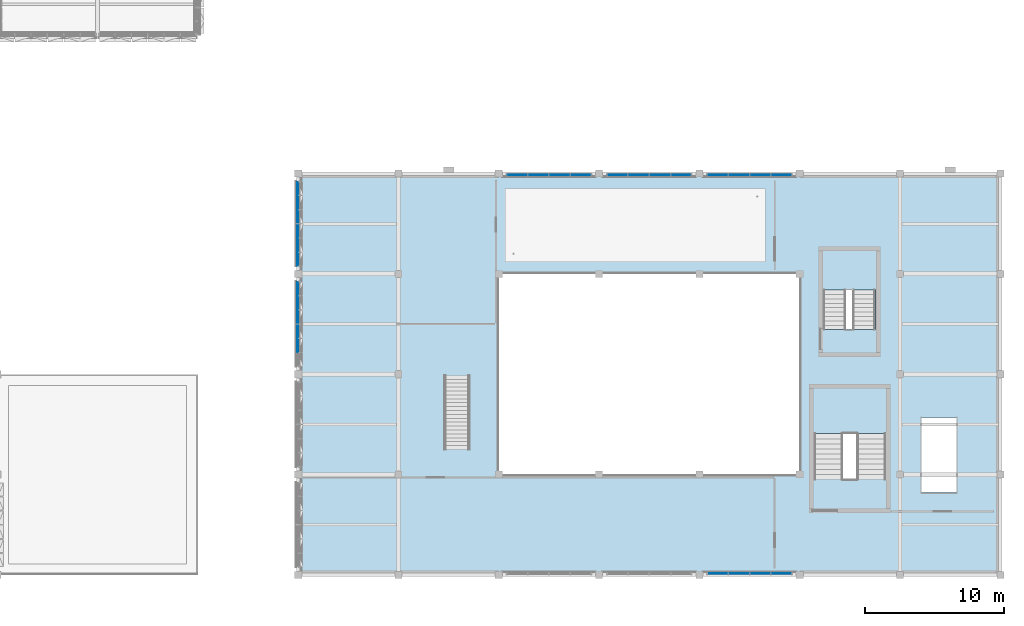
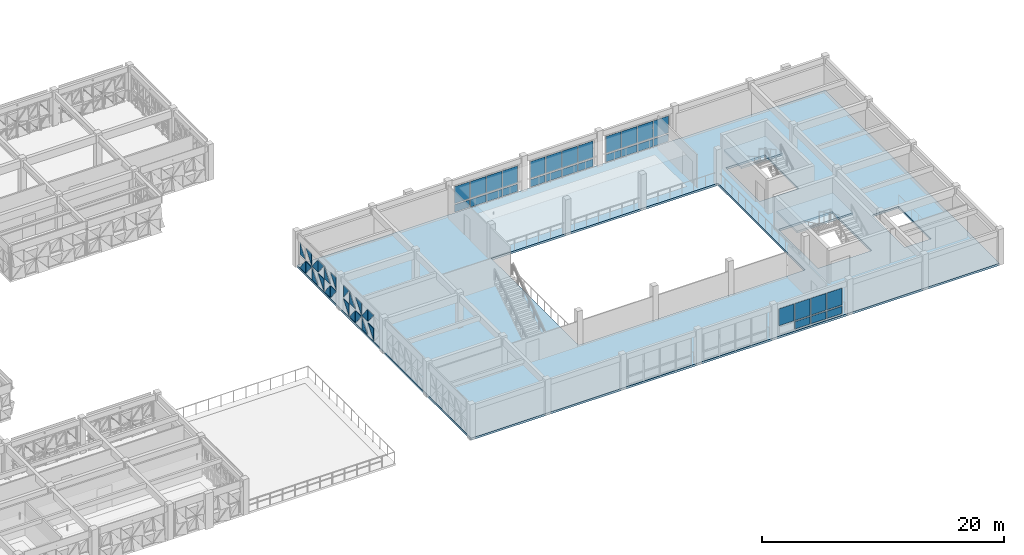
# One storey, part 41 of 99: 53 plates, 3 slabs, 8 elements without a shape of their own.
"""IFC4 building model written with IfcOpenShell, lengths in metres."""

import ifcopenshell
import ifcopenshell.guid

model = None  # the IFC model being written
_history = None  # IfcOwnerHistory: only IFC2X3 demands one
_inside = {}  # id of a spatial element -> (the spatial element, [elements in it])
_under = {}  # id of a project, library or spatial element -> (it, [spatial elements below it])
_declared = {}  # id of a project -> (the project, [libraries it declares])
_typed = {}  # id of a type object -> (the type object, [elements of that type])
_made_of = {}  # id of a material, layer set ... -> (it, [elements and type objects made of it])


def new_model(schema):
    """Start an empty IFC model of exactly this schema.

    Asked for "IFC4X3", IfcOpenShell would pick the latest addendum, in which some entities
    have other attributes; the version numbers below select the first issue.
    IFC2X3 requires an IfcOwnerHistory on every rooted entity: one is made here for all.
    """
    global model, _history
    if schema == "IFC4X3":
        model = ifcopenshell.file(schema_version=(4, 3, 0, 0))
    else:
        model = ifcopenshell.file(schema=schema)
    _inside.clear()
    _under.clear()
    _declared.clear()
    _typed.clear()
    _made_of.clear()
    _history = None
    if model.schema == "IFC2X3":
        org = make("IfcOrganization", Name="unknown")
        user = make(
            "IfcPersonAndOrganization",
            ThePerson=make("IfcPerson", FamilyName="unknown"),
            TheOrganization=org,
        )
        app = make(
            "IfcApplication",
            ApplicationDeveloper=org,
            Version="unknown",
            ApplicationFullName="unknown",
            ApplicationIdentifier="unknown",
        )
        _history = make(
            "IfcOwnerHistory",
            OwningUser=user,
            OwningApplication=app,
            ChangeAction="ADDED",
            CreationDate=0,
        )
    return model


def make(cls, **values):
    """One entity of the class cls with the attributes given. An attribute that is None is left unset."""
    return model.create_entity(
        cls, **{name: value for name, value in values.items() if value is not None}
    )


def rooted(cls, **values):
    """An entity with a GlobalId (a new one), such as an element, a storey or a relation."""
    return make(cls, GlobalId=ifcopenshell.guid.new(), OwnerHistory=_history, **values)


def si_unit(unit_type, name, prefix=None):
    """IfcSIUnit, for example si_unit("LENGTHUNIT", "METRE", prefix="MILLI")."""
    return make("IfcSIUnit", UnitType=unit_type, Prefix=prefix, Name=name)


def assignment(units):
    """IfcUnitAssignment: the units of a project."""
    return None if units is None else make("IfcUnitAssignment", Units=units)


def point(xyz):
    """IfcCartesianPoint."""
    return None if xyz is None else make("IfcCartesianPoint", Coordinates=xyz)


def direction(xyz):
    """IfcDirection."""
    return None if xyz is None else make("IfcDirection", DirectionRatios=xyz)


def frame(location, z_axis=None, x_axis=None):
    """IfcAxis2Placement3D, a coordinate frame: its origin and axes. An axis left out is left unset."""
    return make(
        "IfcAxis2Placement3D",
        Location=point(location),
        Axis=direction(z_axis),
        RefDirection=direction(x_axis),
    )


def frame_2d(location, x_axis=None):
    """IfcAxis2Placement2D, a coordinate frame in the plane: its origin and x axis."""
    return make(
        "IfcAxis2Placement2D", Location=point(location), RefDirection=direction(x_axis)
    )


def origin():
    """The frame at (0, 0, 0) with its axes left unset."""
    return frame((0.0, 0.0, 0.0))


def origin_2d():
    """The frame at (0, 0) in the plane with its x axis left unset."""
    return frame_2d((0.0, 0.0))


def place(relative_to, where):
    """IfcLocalPlacement: puts the frame where relative to a parent placement (None: the world)."""
    return make(
        "IfcLocalPlacement", PlacementRelTo=relative_to, RelativePlacement=where
    )


def context(
    kind, dimensions, precision=None, world=None, true_north=None, identifier=None
):
    """IfcGeometricRepresentationContext, for example the 3D "Model" context."""
    return make(
        "IfcGeometricRepresentationContext",
        ContextIdentifier=identifier,
        ContextType=kind,
        CoordinateSpaceDimension=dimensions,
        Precision=precision,
        WorldCoordinateSystem=world,
        TrueNorth=true_north,
    )


def subcontext(parent, identifier, kind, view, scale=None):
    """IfcGeometricRepresentationSubContext, for example "Body" below "Model"."""
    return make(
        "IfcGeometricRepresentationSubContext",
        ContextIdentifier=identifier,
        ContextType=kind,
        ParentContext=parent,
        TargetScale=scale,
        TargetView=view,
    )


def project(units=None, contexts=None):
    """IfcProject with its units and contexts."""
    return rooted(
        "IfcProject",
        Name="project",
        RepresentationContexts=contexts,
        UnitsInContext=assignment(units),
    )


def spatial(cls, under=None, at=None, **own):
    """A site, building, storey or space (cls), placed at a placement, below another one or the project."""
    s = rooted(cls, ObjectPlacement=at, **own)
    if under is not None:
        _under.setdefault(under.id(), (under, []))[1].append(s)
    return s


def polyline(points):
    """IfcPolyline through the points."""
    return make("IfcPolyline", Points=[point(p) for p in points])


def profile(cls, at=None, kind="AREA", **sizes):
    """A parametric profile (cls). Its sizes go by their IFC names, for example OverallWidth=200.0."""
    return make(cls, ProfileType=kind, Position=at, **sizes)


def rectangle(**sizes):
    """IfcRectangleProfileDef."""
    return profile("IfcRectangleProfileDef", **sizes)


def outline(outer, holes=None, kind="AREA"):
    """IfcArbitraryClosedProfileDef: a profile drawn as a closed curve; with holes, ...WithVoids."""
    if holes is None:
        return make("IfcArbitraryClosedProfileDef", ProfileType=kind, OuterCurve=outer)
    return make(
        "IfcArbitraryProfileDefWithVoids",
        ProfileType=kind,
        OuterCurve=outer,
        InnerCurves=holes,
    )


def extrude(swept, where, along, depth):
    """IfcExtrudedAreaSolid: the profile swept, set in the frame where, extruded along a direction by depth."""
    return make(
        "IfcExtrudedAreaSolid",
        SweptArea=swept,
        Position=where,
        ExtrudedDirection=direction(along),
        Depth=depth,
    )


def shape(context_of_items, identifier, shape_type, items):
    """IfcShapeRepresentation: the items that make up one representation, for example the "Body"."""
    return make(
        "IfcShapeRepresentation",
        ContextOfItems=context_of_items,
        RepresentationIdentifier=identifier,
        RepresentationType=shape_type,
        Items=items,
    )


def material(Name=None, Category=None):
    """IfcMaterial."""
    return make("IfcMaterial", Name=Name, Category=Category)


def layer(
    of_material, thickness, ventilated=None, Name=None, Category=None, Priority=None
):
    """IfcMaterialLayer: one layer of a wall or slab, of a material (None: an air gap)."""
    return make(
        "IfcMaterialLayer",
        Material=of_material,
        LayerThickness=thickness,
        IsVentilated=ventilated,
        Name=Name,
        Category=Category,
        Priority=Priority,
    )


def layer_set(layers, Name=None):
    """IfcMaterialLayerSet."""
    return make("IfcMaterialLayerSet", MaterialLayers=layers, LayerSetName=Name)


def made_of(thing, what):
    """Note that an element or type object is made of a material, layer set ...; save() writes the relation."""
    if what is not None:
        _made_of.setdefault(what.id(), (what, []))[1].append(thing)
    return thing


def type_object(cls, material=None, **own):
    """A type object (cls), such as IfcWallType, which elements share."""
    return made_of(rooted(cls, **own), material)


def element(
    cls,
    number,
    at=None,
    inside=None,
    cuts=None,
    type_object=None,
    material=None,
    context=None,
    identifier="Body",
    shape_type=None,
    held_by="IfcProductDefinitionShape",
    body=None,
    shapes=None,
    **own,
):
    """One element of the class cls, such as IfcWall. Its Tag is "e" and its number.

    at: its placement. inside: the storey or other place that contains it. cuts: it is an
    opening in that element (IfcRelVoidsElement). A single representation is given by context,
    identifier, shape_type and body (its items); several are given by shapes. held_by: the class
    of the entity that holds the representations. save() writes the other relations.
    """
    e = rooted(cls, Tag="e%d" % number, ObjectPlacement=at, **own)
    if body is not None:
        shapes = [shape(context, identifier, shape_type, body)]
    if shapes is not None:
        e.Representation = make(held_by, Representations=shapes)
    if inside is not None:
        _inside.setdefault(inside.id(), (inside, []))[1].append(e)
    if cuts is not None:
        rooted(
            "IfcRelVoidsElement", RelatingBuildingElement=cuts, RelatedOpeningElement=e
        )
    if type_object is not None:
        _typed.setdefault(type_object.id(), (type_object, []))[1].append(e)
    return made_of(e, material)


def aggregate(whole, parts):
    """IfcRelAggregates: a whole, such as a stair, and the parts it consists of."""
    return rooted("IfcRelAggregates", RelatingObject=whole, RelatedObjects=parts)


def save(model, path):
    """Write the relations noted so far, then the file.

    IfcRelAggregates (storeys below a building ...), IfcRelContainedInSpatialStructure (elements
    in a storey), IfcRelDefinesByType, IfcRelAssociatesMaterial and IfcRelDeclares: one each for
    every whole, place, type object, material and project.
    """
    for whole, parts in _under.values():
        aggregate(whole, parts)
    for where, things in _inside.values():
        rooted(
            "IfcRelContainedInSpatialStructure",
            RelatedElements=things,
            RelatingStructure=where,
        )
    for kind, things in _typed.values():
        rooted("IfcRelDefinesByType", RelatedObjects=things, RelatingType=kind)
    for what, things in _made_of.values():
        rooted("IfcRelAssociatesMaterial", RelatedObjects=things, RelatingMaterial=what)
    for by, libraries in _declared.values():
        rooted("IfcRelDeclares", RelatingContext=by, RelatedDefinitions=libraries)
    model.write(path)


model = new_model("IFC4")

# Units and contexts
model_context = context("Model", 3, precision=1e-05, world=origin(), true_north=direction((0.0, 1.0)))
body_context = subcontext(model_context, "Body", "Model", "MODEL_VIEW")
ifc_project = project(units=[si_unit("LENGTHUNIT", "METRE"), si_unit("AREAUNIT", "SQUARE_METRE"), si_unit("VOLUMEUNIT", "CUBIC_METRE"), si_unit("PLANEANGLEUNIT", "RADIAN"), si_unit("MASSUNIT", "GRAM", prefix="KILO")], contexts=[model_context])

# Site, building, storey
site_placement = place(None, origin())
site = spatial("IfcSite", under=ifc_project, at=site_placement, CompositionType="ELEMENT")
building_placement = place(site_placement, origin())
building = spatial("IfcBuilding", under=site, at=building_placement, Name="Alvorim Cloister Faculty of Sciences", CompositionType="ELEMENT")
storey_placement = place(building_placement, frame((0.0, 0.0, 12.14990234375)))
storey = spatial("IfcBuildingStorey", under=building, at=storey_placement, Name="L03", CompositionType="ELEMENT", Elevation=12.14990234375)

# Curtain wall, plates
ifc_material_1 = material(Name="Aluminium and Low-E Glass Curtain Wall", Category="aluminium")
curtain_wall_type_1 = type_object("IfcCurtainWallType", Name="CW-GLZ-6120x2850", PredefinedType="USERDEFINED", material=ifc_material_1)
curtain_wall_1_placement = place(storey_placement, origin())
curtain_wall_1 = element("IfcCurtainWall", 1, at=curtain_wall_1_placement, inside=storey, type_object=curtain_wall_type_1, Name="L03 Entrance and Atrium Glazed Curtain Wall CW-0163", ObjectType="UNITISED CURTAIN WALL", PredefinedType="USERDEFINED")
ifc_material_2 = material(Name="Double Low-E Laminated Glass", Category="glass")
ifc_layer_1 = layer(ifc_material_2, 0.031982421875)
ifc_layer_set_1 = layer_set([ifc_layer_1], Name="Double Low-E Laminated Glass")
plate_type_1 = type_object("IfcPlateType", Name="PN-GLZ-32", PredefinedType="CURTAIN_PANEL", material=ifc_layer_set_1)
plate_1_placement = place(storey_placement, frame((87.72119140625, 28.7099609375, 0.14013671875), z_axis=(0.0, 0.0, 1.0), x_axis=(1.0, 0.0, 0.0)))
plate_1 = element("IfcPlate", 2, at=plate_1_placement, type_object=plate_type_1, Name="CW-10 panel 1.1", PredefinedType="CURTAIN_PANEL", context=body_context, shape_type="SweptSolid", body=[
    extrude(rectangle(XDim=1.4326171875, YDim=0.031982421875, at=origin_2d()), origin(), (0.0, 0.0, 1.0), 0.739990234375),
])
plate_2_placement = place(storey_placement, frame((87.72119140625, 28.7099609375, 1.02001953125), z_axis=(0.0, 0.0, 1.0), x_axis=(1.0, 0.0, 0.0)))
plate_2 = element("IfcPlate", 3, at=plate_2_placement, type_object=plate_type_1, Name="CW-10 panel 1.2", PredefinedType="CURTAIN_PANEL", context=body_context, shape_type="SweptSolid", body=[
    extrude(rectangle(XDim=1.4326171875, YDim=0.031982421875, at=origin_2d()), origin(), (0.0, 0.0, 1.0), 1.68994140625),
])
plate_3_placement = place(storey_placement, frame((89.235107421875, 28.7099609375, 0.14013671875), z_axis=(0.0, 0.0, 1.0), x_axis=(1.0, 0.0, 0.0)))
plate_3 = element("IfcPlate", 4, at=plate_3_placement, type_object=plate_type_1, Name="CW-10 panel 2.1", PredefinedType="CURTAIN_PANEL", context=body_context, shape_type="SweptSolid", body=[
    extrude(rectangle(XDim=1.465087890625, YDim=0.031982421875, at=origin_2d()), origin(), (0.0, 0.0, 1.0), 0.739990234375),
])
plate_4_placement = place(storey_placement, frame((89.235107421875, 28.7099609375, 1.02001953125), z_axis=(0.0, 0.0, 1.0), x_axis=(1.0, 0.0, 0.0)))
plate_4 = element("IfcPlate", 5, at=plate_4_placement, type_object=plate_type_1, Name="CW-10 panel 2.2", PredefinedType="CURTAIN_PANEL", context=body_context, shape_type="SweptSolid", body=[
    extrude(rectangle(XDim=1.465087890625, YDim=0.031982421875, at=origin_2d()), origin(), (0.0, 0.0, 1.0), 1.68994140625),
])
plate_5_placement = place(storey_placement, frame((90.764892578125, 28.7099609375, 0.14013671875), z_axis=(0.0, 0.0, 1.0), x_axis=(1.0, 0.0, 0.0)))
plate_5 = element("IfcPlate", 6, at=plate_5_placement, type_object=plate_type_1, Name="CW-10 panel 3.1", PredefinedType="CURTAIN_PANEL", context=body_context, shape_type="SweptSolid", body=[
    extrude(rectangle(XDim=1.465087890625, YDim=0.031982421875, at=origin_2d()), origin(), (0.0, 0.0, 1.0), 0.739990234375),
])
plate_6_placement = place(storey_placement, frame((90.764892578125, 28.7099609375, 1.02001953125), z_axis=(0.0, 0.0, 1.0), x_axis=(1.0, 0.0, 0.0)))
plate_6 = element("IfcPlate", 7, at=plate_6_placement, type_object=plate_type_1, Name="CW-10 panel 3.2", PredefinedType="CURTAIN_PANEL", context=body_context, shape_type="SweptSolid", body=[
    extrude(rectangle(XDim=1.465087890625, YDim=0.031982421875, at=origin_2d()), origin(), (0.0, 0.0, 1.0), 1.68994140625),
])
plate_7_placement = place(storey_placement, frame((92.27880859375, 28.7099609375, 0.14013671875), z_axis=(0.0, 0.0, 1.0), x_axis=(1.0, 0.0, 0.0)))
plate_7 = element("IfcPlate", 8, at=plate_7_placement, type_object=plate_type_1, Name="CW-10 panel 4.1", PredefinedType="CURTAIN_PANEL", context=body_context, shape_type="SweptSolid", body=[
    extrude(rectangle(XDim=1.4326171875, YDim=0.031982421875, at=origin_2d()), origin(), (0.0, 0.0, 1.0), 0.739990234375),
])
plate_8_placement = place(storey_placement, frame((92.27880859375, 28.7099609375, 1.02001953125), z_axis=(0.0, 0.0, 1.0), x_axis=(1.0, 0.0, 0.0)))
plate_8 = element("IfcPlate", 9, at=plate_8_placement, type_object=plate_type_1, Name="CW-10 panel 4.2", PredefinedType="CURTAIN_PANEL", context=body_context, shape_type="SweptSolid", body=[
    extrude(rectangle(XDim=1.4326171875, YDim=0.031982421875, at=origin_2d()), origin(), (0.0, 0.0, 1.0), 1.68994140625),
])
aggregate(curtain_wall_1, [plate_1, plate_2, plate_3, plate_4, plate_5, plate_6, plate_7, plate_8])

curtain_wall_2_placement = place(storey_placement, origin())
curtain_wall_2 = element("IfcCurtainWall", 10, at=curtain_wall_2_placement, inside=storey, type_object=curtain_wall_type_1, Name="L03 Entrance and Atrium Glazed Curtain Wall CW-0155", ObjectType="UNITISED CURTAIN WALL", PredefinedType="USERDEFINED")
ifc_layer_2 = layer(ifc_material_2, 0.0400390625)
ifc_layer_set_2 = layer_set([ifc_layer_2], Name="Double Low-E Laminated Glass")
plate_type_2 = type_object("IfcPlateType", Name="PN-GLZ-40", PredefinedType="CURTAIN_PANEL", material=ifc_layer_set_2)
plate_9_placement = place(storey_placement, frame((94.921142578125, 0.090087890625, 1.02001953125), z_axis=(0.0, 0.0, 1.0), x_axis=(1.0, 0.0, 0.0)))
plate_9 = element("IfcPlate", 11, at=plate_9_placement, type_object=plate_type_2, Name="CW-10 panel 1.2", PredefinedType="CURTAIN_PANEL", context=body_context, shape_type="SweptSolid", body=[
    extrude(rectangle(XDim=1.4326171875, YDim=0.0400390625, at=origin_2d()), origin(), (0.0, 0.0, 1.0), 1.68994140625),
])
plate_10_placement = place(storey_placement, frame((96.43505859375, 0.090087890625, 0.14013671875), z_axis=(0.0, 0.0, 1.0), x_axis=(1.0, 0.0, 0.0)))
plate_10 = element("IfcPlate", 12, at=plate_10_placement, type_object=plate_type_2, Name="CW-10 panel 2.1", PredefinedType="CURTAIN_PANEL", context=body_context, shape_type="SweptSolid", body=[
    extrude(rectangle(XDim=1.465087890625, YDim=0.0400390625, at=origin_2d()), origin(), (0.0, 0.0, 1.0), 0.739990234375),
])
plate_11_placement = place(storey_placement, frame((96.43505859375, 0.090087890625, 1.02001953125), z_axis=(0.0, 0.0, 1.0), x_axis=(1.0, 0.0, 0.0)))
plate_11 = element("IfcPlate", 13, at=plate_11_placement, type_object=plate_type_2, Name="CW-10 panel 2.2", PredefinedType="CURTAIN_PANEL", context=body_context, shape_type="SweptSolid", body=[
    extrude(rectangle(XDim=1.465087890625, YDim=0.0400390625, at=origin_2d()), origin(), (0.0, 0.0, 1.0), 1.68994140625),
])
plate_12_placement = place(storey_placement, frame((97.965087890625, 0.090087890625, 0.14013671875), z_axis=(0.0, 0.0, 1.0), x_axis=(1.0, 0.0, 0.0)))
plate_12 = element("IfcPlate", 14, at=plate_12_placement, type_object=plate_type_2, Name="CW-10 panel 3.1", PredefinedType="CURTAIN_PANEL", context=body_context, shape_type="SweptSolid", body=[
    extrude(rectangle(XDim=1.465087890625, YDim=0.0400390625, at=origin_2d()), origin(), (0.0, 0.0, 1.0), 0.739990234375),
])
plate_13_placement = place(storey_placement, frame((97.965087890625, 0.090087890625, 1.02001953125), z_axis=(0.0, 0.0, 1.0), x_axis=(1.0, 0.0, 0.0)))
plate_13 = element("IfcPlate", 15, at=plate_13_placement, type_object=plate_type_2, Name="CW-10 panel 3.2", PredefinedType="CURTAIN_PANEL", context=body_context, shape_type="SweptSolid", body=[
    extrude(rectangle(XDim=1.465087890625, YDim=0.0400390625, at=origin_2d()), origin(), (0.0, 0.0, 1.0), 1.68994140625),
])
plate_14_placement = place(storey_placement, frame((99.478759765625, 0.090087890625, 0.14013671875), z_axis=(0.0, 0.0, 1.0), x_axis=(1.0, 0.0, 0.0)))
plate_14 = element("IfcPlate", 16, at=plate_14_placement, type_object=plate_type_2, Name="CW-10 panel 4.1", PredefinedType="CURTAIN_PANEL", context=body_context, shape_type="SweptSolid", body=[
    extrude(rectangle(XDim=1.4326171875, YDim=0.0400390625, at=origin_2d()), origin(), (0.0, 0.0, 1.0), 0.739990234375),
])
plate_15_placement = place(storey_placement, frame((99.478759765625, 0.090087890625, 1.02001953125), z_axis=(0.0, 0.0, 1.0), x_axis=(1.0, 0.0, 0.0)))
plate_15 = element("IfcPlate", 17, at=plate_15_placement, type_object=plate_type_2, Name="CW-10 panel 4.2", PredefinedType="CURTAIN_PANEL", context=body_context, shape_type="SweptSolid", body=[
    extrude(rectangle(XDim=1.4326171875, YDim=0.0400390625, at=origin_2d()), origin(), (0.0, 0.0, 1.0), 1.68994140625),
])
aggregate(curtain_wall_2, [plate_9, plate_10, plate_11, plate_12, plate_13, plate_14, plate_15])

curtain_wall_type_2 = type_object("IfcCurtainWallType", Name="CW-TRI-6120x2850", PredefinedType="USERDEFINED", material=ifc_material_1)
curtain_wall_3_placement = place(storey_placement, origin())
curtain_wall_3 = element("IfcCurtainWall", 18, at=curtain_wall_3_placement, inside=storey, type_object=curtain_wall_type_2, Name="L03 Diagonal Cassette Curtain Wall CW-0160", ObjectType="UNITISED CURTAIN WALL", PredefinedType="USERDEFINED")
plate_16_placement = place(storey_placement, frame((64.77490234375, 15.992431640625, 0.14013671875), z_axis=(0.0, 0.0, 1.0), x_axis=(0.0, 1.0, 0.0)))
plate_16 = element("IfcPlate", 19, at=plate_16_placement, type_object=plate_type_2, Name="Diagonal Glazed Triangle TRI-TL", PredefinedType="CURTAIN_PANEL", context=body_context, shape_type="SweptSolid", body=[
    extrude(outline(polyline([(0.953125, 1.21484375), (0.0, 1.21484375), (0.0, 0.001953125), (0.953125, 1.21484375)])), frame((0.0, 0.02490234375, 0.0), z_axis=(0.0, -1.0, 0.0), x_axis=(1.0, 0.0, 0.0)), (0.0, 0.0, 1.0), 0.050048828125),
])
plate_17_placement = place(storey_placement, frame((64.77490234375, 15.992431640625, 1.4951171875), z_axis=(0.0, 0.0, 1.0), x_axis=(0.0, 1.0, 0.0)))
plate_17 = element("IfcPlate", 20, at=plate_17_placement, type_object=plate_type_2, Name="Diagonal Glazed Triangle TRI-TR", PredefinedType="CURTAIN_PANEL", context=body_context, shape_type="SweptSolid", body=[
    extrude(outline(polyline([(0.955078125, 0.001953125), (0.955078125, 1.215087890625), (0.001953125, 1.215087890625), (0.955078125, 0.001953125)])), frame((0.0, 0.02490234375, 0.0), z_axis=(0.0, -1.0, 0.0), x_axis=(1.0, 0.0, 0.0)), (0.0, 0.0, 1.0), 0.050048828125),
])
plate_18_placement = place(storey_placement, frame((64.77490234375, 17.012451171875, 0.14013671875), z_axis=(0.0, 0.0, 1.0), x_axis=(0.0, 1.0, 0.0)))
plate_18 = element("IfcPlate", 21, at=plate_18_placement, type_object=plate_type_2, Name="Diagonal Glazed Triangle TRI-BR", PredefinedType="CURTAIN_PANEL", context=body_context, shape_type="SweptSolid", body=[
    extrude(outline(polyline([(0.001953125, 0.0), (0.955078125, 0.0), (0.955078125, 1.212890625), (0.001953125, 0.0)])), frame((0.0, 0.02490234375, 0.0), z_axis=(0.0, -1.0, 0.0), x_axis=(1.0, 0.0, 0.0)), (0.0, 0.0, 1.0), 0.050048828125),
])
plate_19_placement = place(storey_placement, frame((64.77490234375, 17.012451171875, 1.4951171875), z_axis=(0.0, 0.0, 1.0), x_axis=(0.0, 1.0, 0.0)))
plate_19 = element("IfcPlate", 22, at=plate_19_placement, type_object=plate_type_2, Name="Diagonal Glazed Triangle TRI-BL", PredefinedType="CURTAIN_PANEL", context=body_context, shape_type="SweptSolid", body=[
    extrude(outline(polyline([(0.0, 0.0), (0.953125, 0.0), (0.0, 1.213134765625), (0.0, 0.0)])), frame((0.0, 0.02490234375, 0.0), z_axis=(0.0, -1.0, 0.0), x_axis=(1.0, 0.0, 0.0)), (0.0, 0.0, 1.0), 0.050048828125),
])
plate_20_placement = place(storey_placement, frame((64.77490234375, 18.032470703125, 0.14013671875), z_axis=(0.0, 0.0, 1.0), x_axis=(0.0, 1.0, 0.0)))
plate_20 = element("IfcPlate", 23, at=plate_20_placement, type_object=plate_type_2, Name="Diagonal Glazed Triangle TRI-TR", PredefinedType="CURTAIN_PANEL", context=body_context, shape_type="SweptSolid", body=[
    extrude(outline(polyline([(0.955078125, 0.001953125), (0.955078125, 1.21484375), (0.001953125, 1.21484375), (0.955078125, 0.001953125)])), frame((0.0, 0.02490234375, 0.0), z_axis=(0.0, -1.0, 0.0), x_axis=(1.0, 0.0, 0.0)), (0.0, 0.0, 1.0), 0.050048828125),
])
plate_21_placement = place(storey_placement, frame((64.77490234375, 18.032470703125, 1.4951171875), z_axis=(0.0, 0.0, 1.0), x_axis=(0.0, 1.0, 0.0)))
plate_21 = element("IfcPlate", 24, at=plate_21_placement, type_object=plate_type_2, Name="Diagonal Glazed Triangle TRI-TL", PredefinedType="CURTAIN_PANEL", context=body_context, shape_type="SweptSolid", body=[
    extrude(outline(polyline([(0.953125, 1.215087890625), (0.0, 1.215087890625), (0.0, 0.001953125), (0.953125, 1.215087890625)])), frame((0.0, 0.02490234375, 0.0), z_axis=(0.0, -1.0, 0.0), x_axis=(1.0, 0.0, 0.0)), (0.0, 0.0, 1.0), 0.050048828125),
])
plate_22_placement = place(storey_placement, frame((64.77490234375, 19.052490234375, 0.14013671875), z_axis=(0.0, 0.0, 1.0), x_axis=(0.0, 1.0, 0.0)))
plate_22 = element("IfcPlate", 25, at=plate_22_placement, type_object=plate_type_2, Name="Diagonal Glazed Triangle TRI-BL", PredefinedType="CURTAIN_PANEL", context=body_context, shape_type="SweptSolid", body=[
    extrude(outline(polyline([(0.0, 0.0), (0.953125, 0.0), (0.0, 1.212890625), (0.0, 0.0)])), frame((0.0, 0.02490234375, 0.0), z_axis=(0.0, -1.0, 0.0), x_axis=(1.0, 0.0, 0.0)), (0.0, 0.0, 1.0), 0.050048828125),
])
plate_23_placement = place(storey_placement, frame((64.77490234375, 19.052490234375, 1.4951171875), z_axis=(0.0, 0.0, 1.0), x_axis=(0.0, 1.0, 0.0)))
plate_23 = element("IfcPlate", 26, at=plate_23_placement, type_object=plate_type_2, Name="Diagonal Glazed Triangle TRI-BR", PredefinedType="CURTAIN_PANEL", context=body_context, shape_type="SweptSolid", body=[
    extrude(outline(polyline([(0.001953125, 0.0), (0.955078125, 0.0), (0.955078125, 1.213134765625), (0.001953125, 0.0)])), frame((0.0, 0.02490234375, 0.0), z_axis=(0.0, -1.0, 0.0), x_axis=(1.0, 0.0, 0.0)), (0.0, 0.0, 1.0), 0.050048828125),
])
plate_24_placement = place(storey_placement, frame((64.77490234375, 20.072509765625, 0.14013671875), z_axis=(0.0, 0.0, 1.0), x_axis=(0.0, 1.0, 0.0)))
plate_24 = element("IfcPlate", 27, at=plate_24_placement, type_object=plate_type_2, Name="Diagonal Glazed Triangle TRI-TL", PredefinedType="CURTAIN_PANEL", context=body_context, shape_type="SweptSolid", body=[
    extrude(outline(polyline([(0.920654296875, 1.21484375), (0.0, 1.21484375), (0.0, 0.001953125), (0.920654296875, 1.21484375)])), frame((0.0, 0.02490234375, 0.0), z_axis=(0.0, -1.0, 0.0), x_axis=(1.0, 0.0, 0.0)), (0.0, 0.0, 1.0), 0.050048828125),
])
plate_25_placement = place(storey_placement, frame((64.77490234375, 20.072509765625, 1.4951171875), z_axis=(0.0, 0.0, 1.0), x_axis=(0.0, 1.0, 0.0)))
plate_25 = element("IfcPlate", 28, at=plate_25_placement, type_object=plate_type_2, Name="Diagonal Glazed Triangle TRI-TR", PredefinedType="CURTAIN_PANEL", context=body_context, shape_type="SweptSolid", body=[
    extrude(outline(polyline([(0.922607421875, 0.001953125), (0.922607421875, 1.215087890625), (0.001953125, 1.215087890625), (0.922607421875, 0.001953125)])), frame((0.0, 0.02490234375, 0.0), z_axis=(0.0, -1.0, 0.0), x_axis=(1.0, 0.0, 0.0)), (0.0, 0.0, 1.0), 0.050048828125),
])
aggregate(curtain_wall_3, [plate_16, plate_17, plate_18, plate_19, plate_20, plate_21, plate_22, plate_23, plate_24, plate_25])

curtain_wall_4_placement = place(storey_placement, origin())
curtain_wall_4 = element("IfcCurtainWall", 29, at=curtain_wall_4_placement, inside=storey, type_object=curtain_wall_type_2, Name="L03 Diagonal Cassette Curtain Wall CW-0161", ObjectType="UNITISED CURTAIN WALL", PredefinedType="USERDEFINED")
plate_26_placement = place(storey_placement, frame((64.77490234375, 22.205078125, 0.14013671875), z_axis=(0.0, 0.0, 1.0), x_axis=(0.0, 1.0, 0.0)))
plate_26 = element("IfcPlate", 30, at=plate_26_placement, type_object=plate_type_2, Name="Diagonal Glazed Triangle TRI-TR", PredefinedType="CURTAIN_PANEL", context=body_context, shape_type="SweptSolid", body=[
    extrude(outline(polyline([(0.922607421875, 0.001953125), (0.922607421875, 1.21484375), (0.001953125, 1.21484375), (0.922607421875, 0.001953125)])), frame((0.0, 0.02490234375, 0.0), z_axis=(0.0, -1.0, 0.0), x_axis=(1.0, 0.0, 0.0)), (0.0, 0.0, 1.0), 0.050048828125),
])
plate_27_placement = place(storey_placement, frame((64.77490234375, 22.205078125, 1.4951171875), z_axis=(0.0, 0.0, 1.0), x_axis=(0.0, 1.0, 0.0)))
plate_27 = element("IfcPlate", 31, at=plate_27_placement, type_object=plate_type_2, Name="Diagonal Glazed Triangle TRI-TL", PredefinedType="CURTAIN_PANEL", context=body_context, shape_type="SweptSolid", body=[
    extrude(outline(polyline([(0.920654296875, 1.215087890625), (0.0, 1.215087890625), (0.0, 0.001953125), (0.920654296875, 1.215087890625)])), frame((0.0, 0.02490234375, 0.0), z_axis=(0.0, -1.0, 0.0), x_axis=(1.0, 0.0, 0.0)), (0.0, 0.0, 1.0), 0.050048828125),
])
plate_28_placement = place(storey_placement, frame((64.77490234375, 23.1923828125, 0.14013671875), z_axis=(0.0, 0.0, 1.0), x_axis=(0.0, 1.0, 0.0)))
plate_28 = element("IfcPlate", 32, at=plate_28_placement, type_object=plate_type_2, Name="Diagonal Glazed Triangle TRI-BL", PredefinedType="CURTAIN_PANEL", context=body_context, shape_type="SweptSolid", body=[
    extrude(outline(polyline([(0.0, 0.0), (0.953125, 0.0), (0.0, 1.212890625), (0.0, 0.0)])), frame((0.0, 0.02490234375, 0.0), z_axis=(0.0, -1.0, 0.0), x_axis=(1.0, 0.0, 0.0)), (0.0, 0.0, 1.0), 0.050048828125),
])
plate_29_placement = place(storey_placement, frame((64.77490234375, 23.1923828125, 1.4951171875), z_axis=(0.0, 0.0, 1.0), x_axis=(0.0, 1.0, 0.0)))
plate_29 = element("IfcPlate", 33, at=plate_29_placement, type_object=plate_type_2, Name="Diagonal Glazed Triangle TRI-BR", PredefinedType="CURTAIN_PANEL", context=body_context, shape_type="SweptSolid", body=[
    extrude(outline(polyline([(0.001953125, 0.0), (0.955078125, 0.0), (0.955078125, 1.213134765625), (0.001953125, 0.0)])), frame((0.0, 0.02490234375, 0.0), z_axis=(0.0, -1.0, 0.0), x_axis=(1.0, 0.0, 0.0)), (0.0, 0.0, 1.0), 0.050048828125),
])
plate_30_placement = place(storey_placement, frame((64.77490234375, 24.21240234375, 0.14013671875), z_axis=(0.0, 0.0, 1.0), x_axis=(0.0, 1.0, 0.0)))
plate_30 = element("IfcPlate", 34, at=plate_30_placement, type_object=plate_type_2, Name="Diagonal Glazed Triangle TRI-TL", PredefinedType="CURTAIN_PANEL", context=body_context, shape_type="SweptSolid", body=[
    extrude(outline(polyline([(0.953125, 1.21484375), (0.0, 1.21484375), (0.0, 0.001953125), (0.953125, 1.21484375)])), frame((0.0, 0.02490234375, 0.0), z_axis=(0.0, -1.0, 0.0), x_axis=(1.0, 0.0, 0.0)), (0.0, 0.0, 1.0), 0.050048828125),
])
plate_31_placement = place(storey_placement, frame((64.77490234375, 24.21240234375, 1.4951171875), z_axis=(0.0, 0.0, 1.0), x_axis=(0.0, 1.0, 0.0)))
plate_31 = element("IfcPlate", 35, at=plate_31_placement, type_object=plate_type_2, Name="Diagonal Glazed Triangle TRI-TR", PredefinedType="CURTAIN_PANEL", context=body_context, shape_type="SweptSolid", body=[
    extrude(outline(polyline([(0.955078125, 0.001953125), (0.955078125, 1.215087890625), (0.001953125, 1.215087890625), (0.955078125, 0.001953125)])), frame((0.0, 0.02490234375, 0.0), z_axis=(0.0, -1.0, 0.0), x_axis=(1.0, 0.0, 0.0)), (0.0, 0.0, 1.0), 0.050048828125),
])
plate_32_placement = place(storey_placement, frame((64.77490234375, 25.232421875, 0.14013671875), z_axis=(0.0, 0.0, 1.0), x_axis=(0.0, 1.0, 0.0)))
plate_32 = element("IfcPlate", 36, at=plate_32_placement, type_object=plate_type_2, Name="Diagonal Glazed Triangle TRI-BR", PredefinedType="CURTAIN_PANEL", context=body_context, shape_type="SweptSolid", body=[
    extrude(outline(polyline([(0.001953125, 0.0), (0.955078125, 0.0), (0.955078125, 1.212890625), (0.001953125, 0.0)])), frame((0.0, 0.02490234375, 0.0), z_axis=(0.0, -1.0, 0.0), x_axis=(1.0, 0.0, 0.0)), (0.0, 0.0, 1.0), 0.050048828125),
])
plate_33_placement = place(storey_placement, frame((64.77490234375, 25.232421875, 1.4951171875), z_axis=(0.0, 0.0, 1.0), x_axis=(0.0, 1.0, 0.0)))
plate_33 = element("IfcPlate", 37, at=plate_33_placement, type_object=plate_type_2, Name="Diagonal Glazed Triangle TRI-BL", PredefinedType="CURTAIN_PANEL", context=body_context, shape_type="SweptSolid", body=[
    extrude(outline(polyline([(0.0, 0.0), (0.953125, 0.0), (0.0, 1.213134765625), (0.0, 0.0)])), frame((0.0, 0.02490234375, 0.0), z_axis=(0.0, -1.0, 0.0), x_axis=(1.0, 0.0, 0.0)), (0.0, 0.0, 1.0), 0.050048828125),
])
plate_34_placement = place(storey_placement, frame((64.77490234375, 26.25244140625, 0.14013671875), z_axis=(0.0, 0.0, 1.0), x_axis=(0.0, 1.0, 0.0)))
plate_34 = element("IfcPlate", 38, at=plate_34_placement, type_object=plate_type_2, Name="Diagonal Glazed Triangle TRI-TR", PredefinedType="CURTAIN_PANEL", context=body_context, shape_type="SweptSolid", body=[
    extrude(outline(polyline([(0.955078125, 0.001953125), (0.955078125, 1.21484375), (0.001953125, 1.21484375), (0.955078125, 0.001953125)])), frame((0.0, 0.02490234375, 0.0), z_axis=(0.0, -1.0, 0.0), x_axis=(1.0, 0.0, 0.0)), (0.0, 0.0, 1.0), 0.050048828125),
])
plate_35_placement = place(storey_placement, frame((64.77490234375, 26.25244140625, 1.4951171875), z_axis=(0.0, 0.0, 1.0), x_axis=(0.0, 1.0, 0.0)))
plate_35 = element("IfcPlate", 39, at=plate_35_placement, type_object=plate_type_2, Name="Diagonal Glazed Triangle TRI-TL", PredefinedType="CURTAIN_PANEL", context=body_context, shape_type="SweptSolid", body=[
    extrude(outline(polyline([(0.953125, 1.215087890625), (0.0, 1.215087890625), (0.0, 0.001953125), (0.953125, 1.215087890625)])), frame((0.0, 0.02490234375, 0.0), z_axis=(0.0, -1.0, 0.0), x_axis=(1.0, 0.0, 0.0)), (0.0, 0.0, 1.0), 0.050048828125),
])
plate_36_placement = place(storey_placement, frame((64.77490234375, 27.2724609375, 0.14013671875), z_axis=(0.0, 0.0, 1.0), x_axis=(0.0, 1.0, 0.0)))
plate_36 = element("IfcPlate", 40, at=plate_36_placement, type_object=plate_type_2, Name="Diagonal Glazed Triangle TRI-BL", PredefinedType="CURTAIN_PANEL", context=body_context, shape_type="SweptSolid", body=[
    extrude(outline(polyline([(0.0, 0.0), (0.920654296875, 0.0), (0.0, 1.212890625), (0.0, 0.0)])), frame((0.0, 0.02490234375, 0.0), z_axis=(0.0, -1.0, 0.0), x_axis=(1.0, 0.0, 0.0)), (0.0, 0.0, 1.0), 0.050048828125),
])
plate_37_placement = place(storey_placement, frame((64.77490234375, 27.2724609375, 1.4951171875), z_axis=(0.0, 0.0, 1.0), x_axis=(0.0, 1.0, 0.0)))
plate_37 = element("IfcPlate", 41, at=plate_37_placement, type_object=plate_type_2, Name="Diagonal Glazed Triangle TRI-BR", PredefinedType="CURTAIN_PANEL", context=body_context, shape_type="SweptSolid", body=[
    extrude(outline(polyline([(0.001953125, 0.0), (0.922607421875, 0.0), (0.922607421875, 1.213134765625), (0.001953125, 0.0)])), frame((0.0, 0.02490234375, 0.0), z_axis=(0.0, -1.0, 0.0), x_axis=(1.0, 0.0, 0.0)), (0.0, 0.0, 1.0), 0.050048828125),
])
aggregate(curtain_wall_4, [plate_26, plate_27, plate_28, plate_29, plate_30, plate_31, plate_32, plate_33, plate_34, plate_35, plate_36, plate_37])

curtain_wall_5_placement = place(storey_placement, origin())
curtain_wall_5 = element("IfcCurtainWall", 42, at=curtain_wall_5_placement, inside=storey, type_object=curtain_wall_type_1, Name="L03 Entrance and Atrium Glazed Curtain Wall CW-0162", ObjectType="UNITISED CURTAIN WALL", PredefinedType="USERDEFINED")
plate_38_placement = place(storey_placement, frame((80.521240234375, 28.7099609375, 0.14013671875), z_axis=(0.0, 0.0, 1.0), x_axis=(1.0, 0.0, 0.0)))
plate_38 = element("IfcPlate", 43, at=plate_38_placement, type_object=plate_type_2, Name="CW-10 panel 1.1", PredefinedType="CURTAIN_PANEL", context=body_context, shape_type="SweptSolid", body=[
    extrude(rectangle(XDim=1.4326171875, YDim=0.0400390625, at=origin_2d()), origin(), (0.0, 0.0, 1.0), 0.739990234375),
])
plate_39_placement = place(storey_placement, frame((80.521240234375, 28.7099609375, 1.02001953125), z_axis=(0.0, 0.0, 1.0), x_axis=(1.0, 0.0, 0.0)))
plate_39 = element("IfcPlate", 44, at=plate_39_placement, type_object=plate_type_2, Name="CW-10 panel 1.2", PredefinedType="CURTAIN_PANEL", context=body_context, shape_type="SweptSolid", body=[
    extrude(rectangle(XDim=1.4326171875, YDim=0.0400390625, at=origin_2d()), origin(), (0.0, 0.0, 1.0), 1.68994140625),
])
plate_40_placement = place(storey_placement, frame((82.034912109375, 28.7099609375, 0.14013671875), z_axis=(0.0, 0.0, 1.0), x_axis=(1.0, 0.0, 0.0)))
plate_40 = element("IfcPlate", 45, at=plate_40_placement, type_object=plate_type_2, Name="CW-10 panel 2.1", PredefinedType="CURTAIN_PANEL", context=body_context, shape_type="SweptSolid", body=[
    extrude(rectangle(XDim=1.465087890625, YDim=0.0400390625, at=origin_2d()), origin(), (0.0, 0.0, 1.0), 0.739990234375),
])
plate_41_placement = place(storey_placement, frame((82.034912109375, 28.7099609375, 1.02001953125), z_axis=(0.0, 0.0, 1.0), x_axis=(1.0, 0.0, 0.0)))
plate_41 = element("IfcPlate", 46, at=plate_41_placement, type_object=plate_type_2, Name="CW-10 panel 2.2", PredefinedType="CURTAIN_PANEL", context=body_context, shape_type="SweptSolid", body=[
    extrude(rectangle(XDim=1.465087890625, YDim=0.0400390625, at=origin_2d()), origin(), (0.0, 0.0, 1.0), 1.68994140625),
])
plate_42_placement = place(storey_placement, frame((83.56494140625, 28.7099609375, 0.14013671875), z_axis=(0.0, 0.0, 1.0), x_axis=(1.0, 0.0, 0.0)))
plate_42 = element("IfcPlate", 47, at=plate_42_placement, type_object=plate_type_2, Name="CW-10 panel 3.1", PredefinedType="CURTAIN_PANEL", context=body_context, shape_type="SweptSolid", body=[
    extrude(rectangle(XDim=1.465087890625, YDim=0.0400390625, at=origin_2d()), origin(), (0.0, 0.0, 1.0), 0.739990234375),
])
plate_43_placement = place(storey_placement, frame((83.56494140625, 28.7099609375, 1.02001953125), z_axis=(0.0, 0.0, 1.0), x_axis=(1.0, 0.0, 0.0)))
plate_43 = element("IfcPlate", 48, at=plate_43_placement, type_object=plate_type_2, Name="CW-10 panel 3.2", PredefinedType="CURTAIN_PANEL", context=body_context, shape_type="SweptSolid", body=[
    extrude(rectangle(XDim=1.465087890625, YDim=0.0400390625, at=origin_2d()), origin(), (0.0, 0.0, 1.0), 1.68994140625),
])
plate_44_placement = place(storey_placement, frame((85.078857421875, 28.7099609375, 0.14013671875), z_axis=(0.0, 0.0, 1.0), x_axis=(1.0, 0.0, 0.0)))
plate_44 = element("IfcPlate", 49, at=plate_44_placement, type_object=plate_type_2, Name="CW-10 panel 4.1", PredefinedType="CURTAIN_PANEL", context=body_context, shape_type="SweptSolid", body=[
    extrude(rectangle(XDim=1.4326171875, YDim=0.0400390625, at=origin_2d()), origin(), (0.0, 0.0, 1.0), 0.739990234375),
])
plate_45_placement = place(storey_placement, frame((85.078857421875, 28.7099609375, 1.02001953125), z_axis=(0.0, 0.0, 1.0), x_axis=(1.0, 0.0, 0.0)))
plate_45 = element("IfcPlate", 50, at=plate_45_placement, type_object=plate_type_2, Name="CW-10 panel 4.2", PredefinedType="CURTAIN_PANEL", context=body_context, shape_type="SweptSolid", body=[
    extrude(rectangle(XDim=1.4326171875, YDim=0.0400390625, at=origin_2d()), origin(), (0.0, 0.0, 1.0), 1.68994140625),
])
aggregate(curtain_wall_5, [plate_38, plate_39, plate_40, plate_41, plate_42, plate_43, plate_44, plate_45])

curtain_wall_6_placement = place(storey_placement, origin())
curtain_wall_6 = element("IfcCurtainWall", 51, at=curtain_wall_6_placement, inside=storey, type_object=curtain_wall_type_1, Name="L03 Entrance and Atrium Glazed Curtain Wall CW-0164", ObjectType="UNITISED CURTAIN WALL", PredefinedType="USERDEFINED")
plate_46_placement = place(storey_placement, frame((94.921142578125, 28.7099609375, 0.14013671875), z_axis=(0.0, 0.0, 1.0), x_axis=(1.0, 0.0, 0.0)))
plate_46 = element("IfcPlate", 52, at=plate_46_placement, type_object=plate_type_2, Name="CW-10 panel 1.1", PredefinedType="CURTAIN_PANEL", context=body_context, shape_type="SweptSolid", body=[
    extrude(rectangle(XDim=1.4326171875, YDim=0.0400390625, at=origin_2d()), origin(), (0.0, 0.0, 1.0), 0.739990234375),
])
plate_47_placement = place(storey_placement, frame((94.921142578125, 28.7099609375, 1.02001953125), z_axis=(0.0, 0.0, 1.0), x_axis=(1.0, 0.0, 0.0)))
plate_47 = element("IfcPlate", 53, at=plate_47_placement, type_object=plate_type_2, Name="CW-10 panel 1.2", PredefinedType="CURTAIN_PANEL", context=body_context, shape_type="SweptSolid", body=[
    extrude(rectangle(XDim=1.4326171875, YDim=0.0400390625, at=origin_2d()), origin(), (0.0, 0.0, 1.0), 1.68994140625),
])
plate_48_placement = place(storey_placement, frame((96.43505859375, 28.7099609375, 0.14013671875), z_axis=(0.0, 0.0, 1.0), x_axis=(1.0, 0.0, 0.0)))
plate_48 = element("IfcPlate", 54, at=plate_48_placement, type_object=plate_type_2, Name="CW-10 panel 2.1", PredefinedType="CURTAIN_PANEL", context=body_context, shape_type="SweptSolid", body=[
    extrude(rectangle(XDim=1.465087890625, YDim=0.0400390625, at=origin_2d()), origin(), (0.0, 0.0, 1.0), 0.739990234375),
])
plate_49_placement = place(storey_placement, frame((96.43505859375, 28.7099609375, 1.02001953125), z_axis=(0.0, 0.0, 1.0), x_axis=(1.0, 0.0, 0.0)))
plate_49 = element("IfcPlate", 55, at=plate_49_placement, type_object=plate_type_2, Name="CW-10 panel 2.2", PredefinedType="CURTAIN_PANEL", context=body_context, shape_type="SweptSolid", body=[
    extrude(rectangle(XDim=1.465087890625, YDim=0.0400390625, at=origin_2d()), origin(), (0.0, 0.0, 1.0), 1.68994140625),
])
plate_50_placement = place(storey_placement, frame((97.965087890625, 28.7099609375, 0.14013671875), z_axis=(0.0, 0.0, 1.0), x_axis=(1.0, 0.0, 0.0)))
plate_50 = element("IfcPlate", 56, at=plate_50_placement, type_object=plate_type_2, Name="CW-10 panel 3.1", PredefinedType="CURTAIN_PANEL", context=body_context, shape_type="SweptSolid", body=[
    extrude(rectangle(XDim=1.465087890625, YDim=0.0400390625, at=origin_2d()), origin(), (0.0, 0.0, 1.0), 0.739990234375),
])
plate_51_placement = place(storey_placement, frame((97.965087890625, 28.7099609375, 1.02001953125), z_axis=(0.0, 0.0, 1.0), x_axis=(1.0, 0.0, 0.0)))
plate_51 = element("IfcPlate", 57, at=plate_51_placement, type_object=plate_type_2, Name="CW-10 panel 3.2", PredefinedType="CURTAIN_PANEL", context=body_context, shape_type="SweptSolid", body=[
    extrude(rectangle(XDim=1.465087890625, YDim=0.0400390625, at=origin_2d()), origin(), (0.0, 0.0, 1.0), 1.68994140625),
])
plate_52_placement = place(storey_placement, frame((99.478759765625, 28.7099609375, 0.14013671875), z_axis=(0.0, 0.0, 1.0), x_axis=(1.0, 0.0, 0.0)))
plate_52 = element("IfcPlate", 58, at=plate_52_placement, type_object=plate_type_2, Name="CW-10 panel 4.1", PredefinedType="CURTAIN_PANEL", context=body_context, shape_type="SweptSolid", body=[
    extrude(rectangle(XDim=1.4326171875, YDim=0.0400390625, at=origin_2d()), origin(), (0.0, 0.0, 1.0), 0.739990234375),
])
plate_53_placement = place(storey_placement, frame((99.478759765625, 28.7099609375, 1.02001953125), z_axis=(0.0, 0.0, 1.0), x_axis=(1.0, 0.0, 0.0)))
plate_53 = element("IfcPlate", 59, at=plate_53_placement, type_object=plate_type_2, Name="CW-10 panel 4.2", PredefinedType="CURTAIN_PANEL", context=body_context, shape_type="SweptSolid", body=[
    extrude(rectangle(XDim=1.4326171875, YDim=0.0400390625, at=origin_2d()), origin(), (0.0, 0.0, 1.0), 1.68994140625),
])
aggregate(curtain_wall_6, [plate_46, plate_47, plate_48, plate_49, plate_50, plate_51, plate_52, plate_53])

# Slab
ifc_material_3 = material(Name="Cross-Laminated Timber CLT C24", Category="wood")
ifc_layer_3 = layer(ifc_material_3, 0.2099609375)
ifc_layer_set_3 = layer_set([ifc_layer_3], Name="Cross-Laminated Timber CLT C24")
slab_type_1 = type_object("IfcSlabType", Name="SL-CLT-210", PredefinedType="FLOOR", material=ifc_layer_set_3)
slab_1_placement = place(storey_placement, frame((0.0, 0.0, -0.2099609375)))
element("IfcSlab", 60, at=slab_1_placement, inside=storey, type_object=slab_type_1, Name="L03 V3 Structural Slab 26", PredefinedType="FLOOR", context=body_context, shape_type="SweptSolid", body=[
    extrude(outline(polyline([(64.804931640625, 0.0048828125), (64.804931640625, 28.794921875), (115.195068359375, 28.794921875), (115.195068359375, 0.0048828125), (64.804931640625, 0.0048828125)]), holes=[polyline([(112.054931640625, 11.2900390625), (109.544921875, 11.2900390625), (109.544921875, 5.89990234375), (112.054931640625, 5.89990234375), (112.054931640625, 11.2900390625)]), polyline([(106.9599609375, 13.35009765625), (101.840087890625, 13.35009765625), (101.840087890625, 6.8798828125), (106.9599609375, 6.8798828125), (106.9599609375, 13.35009765625)]), polyline([(100.800048828125, 21.60009765625), (79.199951171875, 21.60009765625), (79.199951171875, 7.199951171875), (100.800048828125, 7.199951171875), (100.800048828125, 21.60009765625)]), polyline([(106.219970703125, 23.199951171875), (102.5, 23.199951171875), (102.5, 17.6298828125), (106.219970703125, 17.6298828125), (106.219970703125, 23.199951171875)])]), origin(), (0.0, 0.0, 1.0), 0.2099609375),
])

# Stair, slab
ifc_material_4 = material(Name="Concrete C40", Category="concrete")
stair_type_1 = type_object("IfcStairType", Name="STR-ST-06-1600x3600", PredefinedType="HALF_TURN_STAIR", material=ifc_material_4)
stair_1_placement = place(storey_placement, origin())
stair_1 = element("IfcStair", 61, at=stair_1_placement, inside=storey, type_object=stair_type_1, Name="L03 Enclosed Smoke-Proof Stair ST-06", PredefinedType="HALF_TURN_STAIR")
ifc_layer_4 = layer(ifc_material_4, 0.199951171875)
ifc_layer_set_4 = layer_set([ifc_layer_4], Name="Concrete C40")
slab_type_2 = type_object("IfcSlabType", Name="SL-LAND-200", PredefinedType="LANDING", material=ifc_layer_set_4)
slab_2_placement = place(storey_placement, frame((0.0, 0.0, 1.60009765625)))
slab_2 = element("IfcSlab", 62, at=slab_2_placement, type_object=slab_type_2, Name="ST-06 landing 1", PredefinedType="LANDING", context=body_context, shape_type="SweptSolid", body=[
    extrude(outline(polyline([(106.340087890625, 20.43505859375), (106.340087890625, 23.320068359375), (102.3798828125, 23.320068359375), (102.3798828125, 20.43505859375), (106.340087890625, 20.43505859375)])), origin(), (0.0, 0.0, 1.0), 0.199951171875),
])
aggregate(stair_1, [slab_2])

stair_type_2 = type_object("IfcStairType", Name="STR-ST-12-2050x3600", PredefinedType="HALF_TURN_STAIR", material=ifc_material_4)
stair_2_placement = place(storey_placement, origin())
stair_2 = element("IfcStair", 63, at=stair_2_placement, inside=storey, type_object=stair_type_2, Name="L03 Enclosed Smoke-Proof Stair ST-12", PredefinedType="HALF_TURN_STAIR")
slab_3_placement = place(storey_placement, frame((0.0, 0.0, 1.60009765625)))
slab_3 = element("IfcSlab", 64, at=slab_3_placement, type_object=slab_type_2, Name="ST-12 landing 1", PredefinedType="LANDING", context=body_context, shape_type="SweptSolid", body=[
    extrude(outline(polyline([(107.080078125, 10.135009765625), (107.080078125, 13.469970703125), (101.719970703125, 13.469970703125), (101.719970703125, 10.135009765625), (107.080078125, 10.135009765625)])), origin(), (0.0, 0.0, 1.0), 0.199951171875),
])
aggregate(stair_2, [slab_3])

save(model, "model.ifc")
